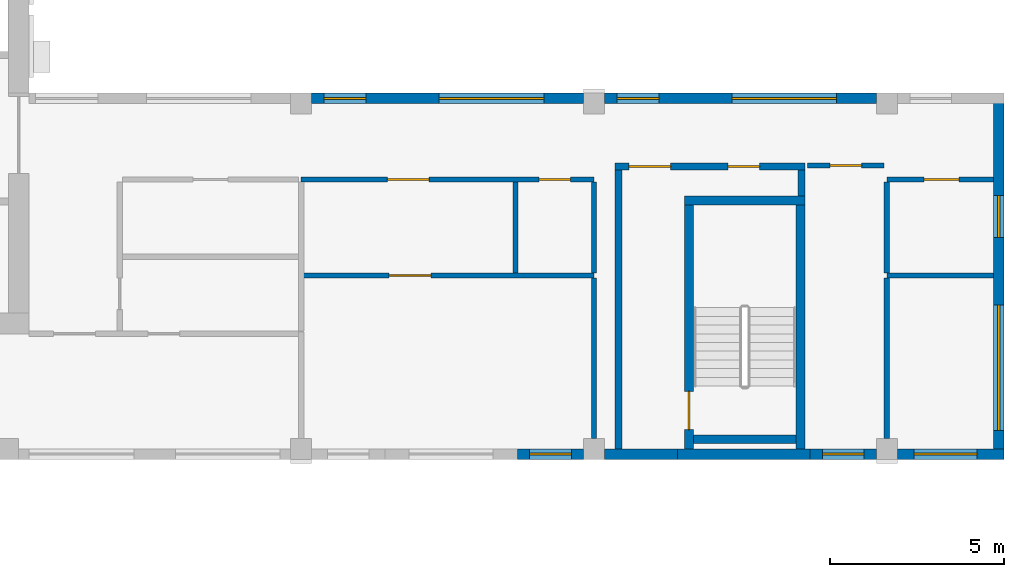
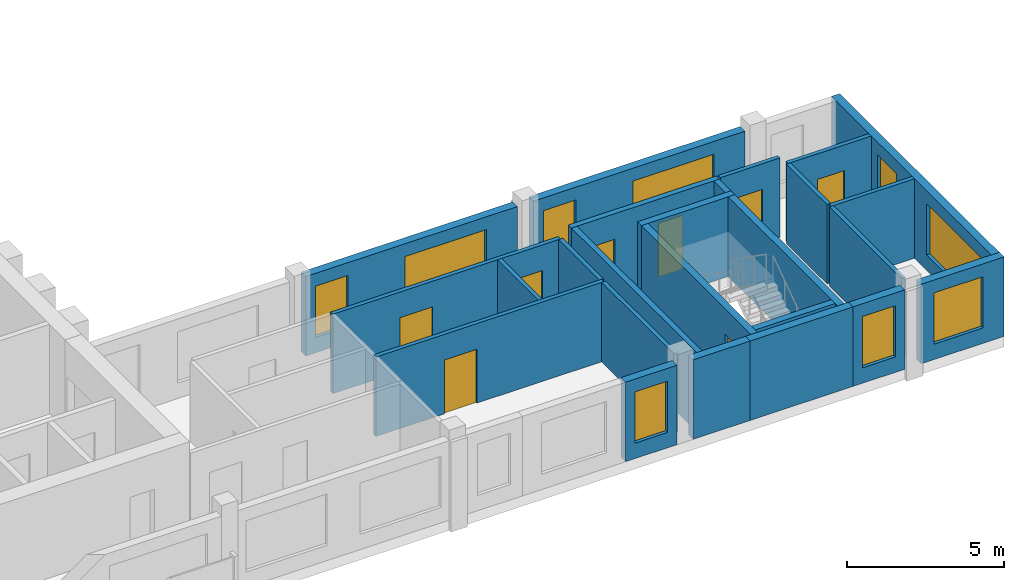
# One storey, part 4 of 10: 25 walls, 9 windows, 8 doors, 17 openings.
"""IFC4 building model written with IfcOpenShell, lengths in metres."""

import ifcopenshell
import ifcopenshell.guid

model = None  # the IFC model being written
_history = None  # IfcOwnerHistory: only IFC2X3 demands one
_inside = {}  # id of a spatial element -> (the spatial element, [elements in it])
_under = {}  # id of a project, library or spatial element -> (it, [spatial elements below it])
_declared = {}  # id of a project -> (the project, [libraries it declares])
_typed = {}  # id of a type object -> (the type object, [elements of that type])
_made_of = {}  # id of a material, layer set ... -> (it, [elements and type objects made of it])


def new_model(schema):
    """Start an empty IFC model of exactly this schema.

    Asked for "IFC4X3", IfcOpenShell would pick the latest addendum, in which some entities
    have other attributes; the version numbers below select the first issue.
    IFC2X3 requires an IfcOwnerHistory on every rooted entity: one is made here for all.
    """
    global model, _history
    if schema == "IFC4X3":
        model = ifcopenshell.file(schema_version=(4, 3, 0, 0))
    else:
        model = ifcopenshell.file(schema=schema)
    _inside.clear()
    _under.clear()
    _declared.clear()
    _typed.clear()
    _made_of.clear()
    _history = None
    if model.schema == "IFC2X3":
        org = make("IfcOrganization", Name="unknown")
        user = make(
            "IfcPersonAndOrganization",
            ThePerson=make("IfcPerson", FamilyName="unknown"),
            TheOrganization=org,
        )
        app = make(
            "IfcApplication",
            ApplicationDeveloper=org,
            Version="unknown",
            ApplicationFullName="unknown",
            ApplicationIdentifier="unknown",
        )
        _history = make(
            "IfcOwnerHistory",
            OwningUser=user,
            OwningApplication=app,
            ChangeAction="ADDED",
            CreationDate=0,
        )
    return model


def make(cls, **values):
    """One entity of the class cls with the attributes given. An attribute that is None is left unset."""
    return model.create_entity(
        cls, **{name: value for name, value in values.items() if value is not None}
    )


def rooted(cls, **values):
    """An entity with a GlobalId (a new one), such as an element, a storey or a relation."""
    return make(cls, GlobalId=ifcopenshell.guid.new(), OwnerHistory=_history, **values)


def si_unit(unit_type, name, prefix=None):
    """IfcSIUnit, for example si_unit("LENGTHUNIT", "METRE", prefix="MILLI")."""
    return make("IfcSIUnit", UnitType=unit_type, Prefix=prefix, Name=name)


def assignment(units):
    """IfcUnitAssignment: the units of a project."""
    return None if units is None else make("IfcUnitAssignment", Units=units)


def point(xyz):
    """IfcCartesianPoint."""
    return None if xyz is None else make("IfcCartesianPoint", Coordinates=xyz)


def direction(xyz):
    """IfcDirection."""
    return None if xyz is None else make("IfcDirection", DirectionRatios=xyz)


def frame(location, z_axis=None, x_axis=None):
    """IfcAxis2Placement3D, a coordinate frame: its origin and axes. An axis left out is left unset."""
    return make(
        "IfcAxis2Placement3D",
        Location=point(location),
        Axis=direction(z_axis),
        RefDirection=direction(x_axis),
    )


def frame_2d(location, x_axis=None):
    """IfcAxis2Placement2D, a coordinate frame in the plane: its origin and x axis."""
    return make(
        "IfcAxis2Placement2D", Location=point(location), RefDirection=direction(x_axis)
    )


def origin():
    """The frame at (0, 0, 0) with its axes left unset."""
    return frame((0.0, 0.0, 0.0))


def place(relative_to, where):
    """IfcLocalPlacement: puts the frame where relative to a parent placement (None: the world)."""
    return make(
        "IfcLocalPlacement", PlacementRelTo=relative_to, RelativePlacement=where
    )


def context(
    kind, dimensions, precision=None, world=None, true_north=None, identifier=None
):
    """IfcGeometricRepresentationContext, for example the 3D "Model" context."""
    return make(
        "IfcGeometricRepresentationContext",
        ContextIdentifier=identifier,
        ContextType=kind,
        CoordinateSpaceDimension=dimensions,
        Precision=precision,
        WorldCoordinateSystem=world,
        TrueNorth=true_north,
    )


def subcontext(parent, identifier, kind, view, scale=None):
    """IfcGeometricRepresentationSubContext, for example "Body" below "Model"."""
    return make(
        "IfcGeometricRepresentationSubContext",
        ContextIdentifier=identifier,
        ContextType=kind,
        ParentContext=parent,
        TargetScale=scale,
        TargetView=view,
    )


def project(units=None, contexts=None):
    """IfcProject with its units and contexts."""
    return rooted(
        "IfcProject",
        Name="project",
        RepresentationContexts=contexts,
        UnitsInContext=assignment(units),
    )


def spatial(cls, under=None, at=None, **own):
    """A site, building, storey or space (cls), placed at a placement, below another one or the project."""
    s = rooted(cls, ObjectPlacement=at, **own)
    if under is not None:
        _under.setdefault(under.id(), (under, []))[1].append(s)
    return s


def profile(cls, at=None, kind="AREA", **sizes):
    """A parametric profile (cls). Its sizes go by their IFC names, for example OverallWidth=200.0."""
    return make(cls, ProfileType=kind, Position=at, **sizes)


def rectangle(**sizes):
    """IfcRectangleProfileDef."""
    return profile("IfcRectangleProfileDef", **sizes)


def extrude(swept, where, along, depth):
    """IfcExtrudedAreaSolid: the profile swept, set in the frame where, extruded along a direction by depth."""
    return make(
        "IfcExtrudedAreaSolid",
        SweptArea=swept,
        Position=where,
        ExtrudedDirection=direction(along),
        Depth=depth,
    )


def shape(context_of_items, identifier, shape_type, items):
    """IfcShapeRepresentation: the items that make up one representation, for example the "Body"."""
    return make(
        "IfcShapeRepresentation",
        ContextOfItems=context_of_items,
        RepresentationIdentifier=identifier,
        RepresentationType=shape_type,
        Items=items,
    )


def source(mapping_origin, context_of_items, identifier, shape_type, items):
    """IfcRepresentationMap: a shape defined once, which mapped items show again and again."""
    return make(
        "IfcRepresentationMap",
        MappingOrigin=mapping_origin,
        MappedRepresentation=shape(context_of_items, identifier, shape_type, items),
    )


def transform(
    local_origin,
    x_axis=None,
    y_axis=None,
    z_axis=None,
    scale=None,
    scale2=None,
    scale3=None,
    uniform=True,
):
    """IfcCartesianTransformationOperator3D, or its non-uniform kind. x_axis, y_axis, z_axis: its Axis1, 2, 3."""
    if uniform:
        return make(
            "IfcCartesianTransformationOperator3D",
            Axis1=direction(x_axis),
            Axis2=direction(y_axis),
            LocalOrigin=point(local_origin),
            Scale=scale,
            Axis3=direction(z_axis),
        )
    return make(
        "IfcCartesianTransformationOperator3DnonUniform",
        Axis1=direction(x_axis),
        Axis2=direction(y_axis),
        LocalOrigin=point(local_origin),
        Scale=scale,
        Axis3=direction(z_axis),
        Scale2=scale2,
        Scale3=scale3,
    )


def mapped(mapping_source, mapping_target):
    """IfcMappedItem: shows the shape of a source again, moved by a transform."""
    return make(
        "IfcMappedItem", MappingSource=mapping_source, MappingTarget=mapping_target
    )


def material(Name=None, Category=None):
    """IfcMaterial."""
    return make("IfcMaterial", Name=Name, Category=Category)


def layer(
    of_material, thickness, ventilated=None, Name=None, Category=None, Priority=None
):
    """IfcMaterialLayer: one layer of a wall or slab, of a material (None: an air gap)."""
    return make(
        "IfcMaterialLayer",
        Material=of_material,
        LayerThickness=thickness,
        IsVentilated=ventilated,
        Name=Name,
        Category=Category,
        Priority=Priority,
    )


def layer_set(layers, Name=None):
    """IfcMaterialLayerSet."""
    return make("IfcMaterialLayerSet", MaterialLayers=layers, LayerSetName=Name)


def made_of(thing, what):
    """Note that an element or type object is made of a material, layer set ...; save() writes the relation."""
    if what is not None:
        _made_of.setdefault(what.id(), (what, []))[1].append(thing)
    return thing


def type_object(cls, material=None, **own):
    """A type object (cls), such as IfcWallType, which elements share."""
    return made_of(rooted(cls, **own), material)


def element(
    cls,
    number,
    at=None,
    inside=None,
    cuts=None,
    type_object=None,
    material=None,
    context=None,
    identifier="Body",
    shape_type=None,
    held_by="IfcProductDefinitionShape",
    body=None,
    shapes=None,
    **own,
):
    """One element of the class cls, such as IfcWall. Its Tag is "e" and its number.

    at: its placement. inside: the storey or other place that contains it. cuts: it is an
    opening in that element (IfcRelVoidsElement). A single representation is given by context,
    identifier, shape_type and body (its items); several are given by shapes. held_by: the class
    of the entity that holds the representations. save() writes the other relations.
    """
    e = rooted(cls, Tag="e%d" % number, ObjectPlacement=at, **own)
    if body is not None:
        shapes = [shape(context, identifier, shape_type, body)]
    if shapes is not None:
        e.Representation = make(held_by, Representations=shapes)
    if inside is not None:
        _inside.setdefault(inside.id(), (inside, []))[1].append(e)
    if cuts is not None:
        rooted(
            "IfcRelVoidsElement", RelatingBuildingElement=cuts, RelatedOpeningElement=e
        )
    if type_object is not None:
        _typed.setdefault(type_object.id(), (type_object, []))[1].append(e)
    return made_of(e, material)


def fill(opening, filler):
    """IfcRelFillsElement: the door or window that sits in an opening."""
    return rooted(
        "IfcRelFillsElement",
        RelatingOpeningElement=opening,
        RelatedBuildingElement=filler,
    )


def aggregate(whole, parts):
    """IfcRelAggregates: a whole, such as a stair, and the parts it consists of."""
    return rooted("IfcRelAggregates", RelatingObject=whole, RelatedObjects=parts)


def save(model, path):
    """Write the relations noted so far, then the file.

    IfcRelAggregates (storeys below a building ...), IfcRelContainedInSpatialStructure (elements
    in a storey), IfcRelDefinesByType, IfcRelAssociatesMaterial and IfcRelDeclares: one each for
    every whole, place, type object, material and project.
    """
    for whole, parts in _under.values():
        aggregate(whole, parts)
    for where, things in _inside.values():
        rooted(
            "IfcRelContainedInSpatialStructure",
            RelatedElements=things,
            RelatingStructure=where,
        )
    for kind, things in _typed.values():
        rooted("IfcRelDefinesByType", RelatedObjects=things, RelatingType=kind)
    for what, things in _made_of.values():
        rooted("IfcRelAssociatesMaterial", RelatedObjects=things, RelatingMaterial=what)
    for by, libraries in _declared.values():
        rooted("IfcRelDeclares", RelatingContext=by, RelatedDefinitions=libraries)
    model.write(path)


model = new_model("IFC4")

# Units and contexts
model_context = context("Model", 3, precision=1e-05, world=origin(), true_north=direction((0.0, 1.0)))
body_context = subcontext(model_context, "Body", "Model", "MODEL_VIEW")
ifc_project = project(units=[si_unit("LENGTHUNIT", "METRE"), si_unit("AREAUNIT", "SQUARE_METRE"), si_unit("VOLUMEUNIT", "CUBIC_METRE"), si_unit("PLANEANGLEUNIT", "RADIAN"), si_unit("MASSUNIT", "GRAM", prefix="KILO")], contexts=[model_context])

# Site, building, storey
site_placement = place(None, origin())
site = spatial("IfcSite", under=ifc_project, at=site_placement, CompositionType="ELEMENT")
building_placement = place(site_placement, origin())
building = spatial("IfcBuilding", under=site, at=building_placement, Name="Aurelian Terraces", CompositionType="ELEMENT")
storey_placement = place(building_placement, frame((0.0, 0.0, 326.5)))
storey = spatial("IfcBuildingStorey", under=building, at=storey_placement, Name="L76", CompositionType="ELEMENT", Elevation=326.5)

# Wall, opening, window
ifc_material_1 = material(Name="Terracotta rainscreen cladding", Category="masonry")
ifc_layer_1 = layer(ifc_material_1, 0.3)
ifc_layer_set_1 = layer_set([ifc_layer_1], Name="EW-300")
wall_type_1 = type_object("IfcWallType", Name="EW-300", PredefinedType="STANDARD", material=ifc_layer_set_1)
wall_1_placement = place(storey_placement, frame((35.6, 0.15, 0.0), z_axis=(0.0, 0.0, 1.0), x_axis=(1.0, 0.0, 0.0)))
wall_1 = element("IfcWall", 1, at=wall_1_placement, inside=storey, type_object=wall_type_1, Name="External wall L76 F01.4", PredefinedType="STANDARD", context=body_context, shape_type="SweptSolid", body=[
    extrude(rectangle(XDim=1.9, YDim=0.3, at=frame_2d((0.95, 0.0))), origin(), (0.0, 0.0, 1.0), 3.1),
])
shared_shape_1 = source(origin(), body_context, "Body", "SweptSolid", [
    extrude(rectangle(XDim=1.2, YDim=2.0, at=frame_2d((0.6, 1.0))), frame((0.0, 0.16, 0.0), z_axis=(0.0, -1.0, 0.0), x_axis=(1.0, 0.0, 0.0)), (0.0, 0.0, 1.0), 0.32),
])
opening_1_placement = place(wall_1_placement, frame((0.35, 0.0, 0.6)))
opening_1 = element("IfcOpeningElement", 2, at=opening_1_placement, cuts=wall_1, Name="Opening W1220", PredefinedType="OPENING", context=body_context, shape_type="MappedRepresentation", body=[
    mapped(shared_shape_1, transform((0.0, 0.0, 0.0), scale=1.0)),
])
ifc_material_2 = material(Name="Clear glazing", Category="glass")
window_type_1 = type_object("IfcWindowType", Name="W-1200x2000", PartitioningType="SINGLE_PANEL", PredefinedType="WINDOW", material=ifc_material_2)
shared_shape_2 = source(origin(), body_context, "Body", "SweptSolid", [
    extrude(rectangle(XDim=1.2, YDim=2.0, at=frame_2d((0.6, 1.0))), frame((0.0, 0.03, 0.0), z_axis=(0.0, -1.0, 0.0), x_axis=(1.0, 0.0, 0.0)), (0.0, 0.0, 1.0), 0.06),
])
window_1_placement = place(opening_1_placement, origin())
window_1 = element("IfcWindow", 3, at=window_1_placement, inside=storey, type_object=window_type_1, Name="Window L76 L76-F01-04-P2", OverallHeight=2.0, OverallWidth=1.2, PartitioningType="SINGLE_PANEL", PredefinedType="WINDOW", context=body_context, shape_type="MappedRepresentation", body=[
    mapped(shared_shape_2, transform((0.0, 0.0, 0.0), scale=1.0)),
])
fill(opening_1, window_1)

wall_2_placement = place(storey_placement, frame((46.5, 0.15, 0.0), z_axis=(0.0, 0.0, 1.0), x_axis=(1.0, 0.0, 0.0)))
wall_2 = element("IfcWall", 4, at=wall_2_placement, inside=storey, type_object=wall_type_1, Name="External wall L76 F01.6", PredefinedType="STANDARD", context=body_context, shape_type="SweptSolid", body=[
    extrude(rectangle(XDim=3.06, YDim=0.3, at=frame_2d((1.53, 0.0))), origin(), (0.0, 0.0, 1.0), 3.1),
])
shared_shape_3 = source(origin(), body_context, "Body", "SweptSolid", [
    extrude(rectangle(XDim=1.8, YDim=2.0, at=frame_2d((0.9, 1.0))), frame((0.0, 0.16, 0.0), z_axis=(0.0, -1.0, 0.0), x_axis=(1.0, 0.0, 0.0)), (0.0, 0.0, 1.0), 0.32),
])
opening_2_placement = place(wall_2_placement, frame((0.48, 0.0, 0.6)))
opening_2 = element("IfcOpeningElement", 5, at=opening_2_placement, cuts=wall_2, Name="Opening W1820", PredefinedType="OPENING", context=body_context, shape_type="MappedRepresentation", body=[
    mapped(shared_shape_3, transform((0.0, 0.0, 0.0), scale=1.0)),
])
window_type_2 = type_object("IfcWindowType", Name="W-1800x2000", PartitioningType="SINGLE_PANEL", PredefinedType="WINDOW", material=ifc_material_2)
shared_shape_4 = source(origin(), body_context, "Body", "SweptSolid", [
    extrude(rectangle(XDim=1.8, YDim=2.0, at=frame_2d((0.9, 1.0))), frame((0.0, 0.03, 0.0), z_axis=(0.0, -1.0, 0.0), x_axis=(1.0, 0.0, 0.0)), (0.0, 0.0, 1.0), 0.06),
])
window_2_placement = place(opening_2_placement, origin())
window_2 = element("IfcWindow", 6, at=window_2_placement, inside=storey, type_object=window_type_2, Name="Window L76 L76-F01-06-0", OverallHeight=2.0, OverallWidth=1.8, PartitioningType="SINGLE_PANEL", PredefinedType="WINDOW", context=body_context, shape_type="MappedRepresentation", body=[
    mapped(shared_shape_4, transform((0.0, 0.0, 0.0), scale=1.0)),
])
fill(opening_2, window_2)

# Walls
ifc_material_3 = material(Name="Gypsum board on steel studs", Category="steel")
ifc_layer_2 = layer(ifc_material_3, 0.15)
ifc_layer_set_2 = layer_set([ifc_layer_2], Name="Fire partition 150")
wall_type_2 = type_object("IfcWallType", Name="Fire partition 150", PredefinedType="PARTITIONING", material=ifc_layer_set_2)
wall_3_placement = place(storey_placement, frame((37.8, 0.599, 0.0), z_axis=(0.0, 0.0, 1.0), x_axis=(0.0, 1.0, 0.0)))
element("IfcWall", 7, at=wall_3_placement, inside=storey, type_object=wall_type_2, Name="Party wall", PredefinedType="PARTITIONING", context=body_context, shape_type="SweptSolid", body=[
    extrude(rectangle(XDim=4.601, YDim=0.15, at=frame_2d((2.3005, 0.0))), origin(), (0.0, 0.0, 1.0), 3.1),
])
ifc_material_4 = material(Name="Concrete fc' 40 MPa", Category="concrete")
ifc_layer_3 = layer(ifc_material_4, 0.3)
ifc_layer_set_3 = layer_set([ifc_layer_3], Name="STAIR BAY WALL 300")
wall_type_3 = type_object("IfcWallType", Name="STAIR BAY WALL 300", PredefinedType="SOLIDWALL", material=ifc_layer_set_3)
shared_shape_5 = source(origin(), body_context, "Body", "SweptSolid", [
    extrude(rectangle(XDim=3.8, YDim=0.3, at=frame_2d((1.9, 0.0))), origin(), (0.0, 0.0, 1.0), 3.1),
])
wall_4_placement = place(storey_placement, frame((40.2, 0.15, 0.0), z_axis=(0.0, 0.0, 1.0), x_axis=(1.0, 0.0, 0.0)))
element("IfcWall", 8, at=wall_4_placement, inside=storey, type_object=wall_type_3, Name="Stair bay wall L76 F01.5", PredefinedType="SOLIDWALL", context=body_context, shape_type="MappedRepresentation", body=[
    mapped(shared_shape_5, transform((0.0, 0.0, 0.0), scale=1.0)),
])

# Wall, openings, windows
shared_shape_6 = source(origin(), body_context, "Body", "SweptSolid", [
    extrude(rectangle(XDim=10.5, YDim=0.3, at=frame_2d((5.25, 0.0))), origin(), (0.0, 0.0, 1.0), 3.1),
])
wall_5_placement = place(storey_placement, frame((49.41, 0.0, 0.0), z_axis=(0.0, 0.0, 1.0), x_axis=(0.0, 1.0, 0.0)))
wall_5 = element("IfcWall", 9, at=wall_5_placement, inside=storey, type_object=wall_type_1, Name="External wall L76 F02.7", PredefinedType="STANDARD", context=body_context, shape_type="MappedRepresentation", body=[
    mapped(shared_shape_6, transform((0.0, 0.0, 0.0), scale=1.0)),
])
shared_shape_7 = source(origin(), body_context, "Body", "SweptSolid", [
    extrude(rectangle(XDim=3.6, YDim=2.0, at=frame_2d((1.8, 1.0))), frame((0.0, 0.16, 0.0), z_axis=(0.0, -1.0, 0.0), x_axis=(1.0, 0.0, 0.0)), (0.0, 0.0, 1.0), 0.32),
])
opening_3_placement = place(wall_5_placement, frame((0.825, 0.0, 0.6)))
opening_3 = element("IfcOpeningElement", 10, at=opening_3_placement, cuts=wall_5, Name="Opening W3620", PredefinedType="OPENING", context=body_context, shape_type="MappedRepresentation", body=[
    mapped(shared_shape_7, transform((0.0, 0.0, 0.0), scale=1.0)),
])
opening_4_placement = place(wall_5_placement, frame((6.3625, 0.0, 0.6)))
opening_4 = element("IfcOpeningElement", 11, at=opening_4_placement, cuts=wall_5, Name="Opening W1220", PredefinedType="OPENING", context=body_context, shape_type="MappedRepresentation", body=[
    mapped(shared_shape_1, transform((0.0, 0.0, 0.0), scale=1.0)),
])
window_3_placement = place(opening_4_placement, origin())
window_3 = element("IfcWindow", 12, at=window_3_placement, inside=storey, type_object=window_type_1, Name="Window L76 L76-F02-07-1", OverallHeight=2.0, OverallWidth=1.2, PartitioningType="SINGLE_PANEL", PredefinedType="WINDOW", context=body_context, shape_type="MappedRepresentation", body=[
    mapped(shared_shape_2, transform((0.0, 0.0, 0.0), scale=1.0)),
])
fill(opening_4, window_3)
window_type_3 = type_object("IfcWindowType", Name="W-3600x2000", PartitioningType="SINGLE_PANEL", PredefinedType="WINDOW", material=ifc_material_2)
shared_shape_8 = source(origin(), body_context, "Body", "SweptSolid", [
    extrude(rectangle(XDim=3.6, YDim=2.0, at=frame_2d((1.8, 1.0))), frame((0.0, 0.03, 0.0), z_axis=(0.0, -1.0, 0.0), x_axis=(1.0, 0.0, 0.0)), (0.0, 0.0, 1.0), 0.06),
])
window_4_placement = place(opening_3_placement, origin())
window_4 = element("IfcWindow", 13, at=window_4_placement, inside=storey, type_object=window_type_3, Name="Window L76 L76-F02-07-0", OverallHeight=2.0, OverallWidth=3.6, PartitioningType="SINGLE_PANEL", PredefinedType="WINDOW", context=body_context, shape_type="MappedRepresentation", body=[
    mapped(shared_shape_8, transform((0.0, 0.0, 0.0), scale=1.0)),
])
fill(opening_3, window_4)

# Wall
shared_shape_9 = source(origin(), body_context, "Body", "SweptSolid", [
    extrude(rectangle(XDim=2.1, YDim=0.3, at=frame_2d((1.05, 0.0))), origin(), (0.0, 0.0, 1.0), 3.1),
])
wall_6_placement = place(storey_placement, frame((38.1, 0.15, 0.0), z_axis=(0.0, 0.0, 1.0), x_axis=(1.0, 0.0, 0.0)))
element("IfcWall", 14, at=wall_6_placement, inside=storey, type_object=wall_type_1, Name="External wall L76 F01.5", PredefinedType="STANDARD", context=body_context, shape_type="MappedRepresentation", body=[
    mapped(shared_shape_9, transform((0.0, 0.0, 0.0), scale=1.0)),
])

# Wall, opening, window
shared_shape_10 = source(origin(), body_context, "Body", "SweptSolid", [
    extrude(rectangle(XDim=1.9, YDim=0.3, at=frame_2d((0.95, 0.0))), origin(), (0.0, 0.0, 1.0), 3.1),
])
wall_7_placement = place(storey_placement, frame((44.0, 0.15, 0.0), z_axis=(0.0, 0.0, 1.0), x_axis=(1.0, 0.0, 0.0)))
wall_7 = element("IfcWall", 15, at=wall_7_placement, inside=storey, type_object=wall_type_1, Name="External wall L76 F01.5", PredefinedType="STANDARD", context=body_context, shape_type="MappedRepresentation", body=[
    mapped(shared_shape_10, transform((0.0, 0.0, 0.0), scale=1.0)),
])
opening_5_placement = place(wall_7_placement, frame((0.35, 0.0, 0.6)))
opening_5 = element("IfcOpeningElement", 16, at=opening_5_placement, cuts=wall_7, Name="Opening W1220", PredefinedType="OPENING", context=body_context, shape_type="MappedRepresentation", body=[
    mapped(shared_shape_1, transform((0.0, 0.0, 0.0), scale=1.0)),
])
window_5_placement = place(opening_5_placement, origin())
window_5 = element("IfcWindow", 17, at=window_5_placement, inside=storey, type_object=window_type_1, Name="Window L76 L76-F01-05-P2", OverallHeight=2.0, OverallWidth=1.2, PartitioningType="SINGLE_PANEL", PredefinedType="WINDOW", context=body_context, shape_type="MappedRepresentation", body=[
    mapped(shared_shape_2, transform((0.0, 0.0, 0.0), scale=1.0)),
])
fill(opening_5, window_5)

# Wall, openings, windows
shared_shape_11 = source(origin(), body_context, "Body", "SweptSolid", [
    extrude(rectangle(XDim=7.8, YDim=0.3, at=frame_2d((3.9, 0.0))), origin(), (0.0, 0.0, 1.0), 3.1),
])
wall_8_placement = place(storey_placement, frame((45.9, 10.35, 0.0), z_axis=(0.0, 0.0, 1.0), x_axis=(-1.0, 0.0, 0.0)))
wall_8 = element("IfcWall", 18, at=wall_8_placement, inside=storey, type_object=wall_type_1, Name="External wall L76 F03.8", PredefinedType="STANDARD", context=body_context, shape_type="MappedRepresentation", body=[
    mapped(shared_shape_11, transform((0.0, 0.0, 0.0), scale=1.0)),
])
shared_shape_12 = source(origin(), body_context, "Body", "SweptSolid", [
    extrude(rectangle(XDim=3.0, YDim=2.0, at=frame_2d((1.5, 1.0))), frame((0.0, 0.16, 0.0), z_axis=(0.0, -1.0, 0.0), x_axis=(1.0, 0.0, 0.0)), (0.0, 0.0, 1.0), 0.32),
])
opening_6_placement = place(wall_8_placement, frame((1.14, 0.0, 0.6)))
opening_6 = element("IfcOpeningElement", 19, at=opening_6_placement, cuts=wall_8, Name="Opening W3020", PredefinedType="OPENING", context=body_context, shape_type="MappedRepresentation", body=[
    mapped(shared_shape_12, transform((0.0, 0.0, 0.0), scale=1.0)),
])
opening_7_placement = place(wall_8_placement, frame((6.24, 0.0, 0.6)))
opening_7 = element("IfcOpeningElement", 20, at=opening_7_placement, cuts=wall_8, Name="Opening W1220", PredefinedType="OPENING", context=body_context, shape_type="MappedRepresentation", body=[
    mapped(shared_shape_1, transform((0.0, 0.0, 0.0), scale=1.0)),
])
window_type_4 = type_object("IfcWindowType", Name="W-3000x2000", PartitioningType="SINGLE_PANEL", PredefinedType="WINDOW", material=ifc_material_2)
shared_shape_13 = source(origin(), body_context, "Body", "SweptSolid", [
    extrude(rectangle(XDim=3.0, YDim=2.0, at=frame_2d((1.5, 1.0))), frame((0.0, 0.03, 0.0), z_axis=(0.0, -1.0, 0.0), x_axis=(1.0, 0.0, 0.0)), (0.0, 0.0, 1.0), 0.06),
])
window_6_placement = place(opening_6_placement, origin())
window_6 = element("IfcWindow", 21, at=window_6_placement, inside=storey, type_object=window_type_4, Name="Window L76 L76-F03-08-1", OverallHeight=2.0, OverallWidth=3.0, PartitioningType="SINGLE_PANEL", PredefinedType="WINDOW", context=body_context, shape_type="MappedRepresentation", body=[
    mapped(shared_shape_13, transform((0.0, 0.0, 0.0), scale=1.0)),
])
fill(opening_6, window_6)
window_7_placement = place(opening_7_placement, origin())
window_7 = element("IfcWindow", 22, at=window_7_placement, inside=storey, type_object=window_type_1, Name="Window L76 L76-F03-08-2", OverallHeight=2.0, OverallWidth=1.2, PartitioningType="SINGLE_PANEL", PredefinedType="WINDOW", context=body_context, shape_type="MappedRepresentation", body=[
    mapped(shared_shape_2, transform((0.0, 0.0, 0.0), scale=1.0)),
])
fill(opening_7, window_7)

wall_9_placement = place(storey_placement, frame((37.5, 10.35, 0.0), z_axis=(0.0, 0.0, 1.0), x_axis=(-1.0, 0.0, 0.0)))
wall_9 = element("IfcWall", 23, at=wall_9_placement, inside=storey, type_object=wall_type_1, Name="External wall L76 F03.8", PredefinedType="STANDARD", context=body_context, shape_type="MappedRepresentation", body=[
    mapped(shared_shape_11, transform((0.0, 0.0, 0.0), scale=1.0)),
])
opening_8_placement = place(wall_9_placement, frame((1.14, 0.0, 0.6)))
opening_8 = element("IfcOpeningElement", 24, at=opening_8_placement, cuts=wall_9, Name="Opening W3020", PredefinedType="OPENING", context=body_context, shape_type="MappedRepresentation", body=[
    mapped(shared_shape_12, transform((0.0, 0.0, 0.0), scale=1.0)),
])
opening_9_placement = place(wall_9_placement, frame((6.24, 0.0, 0.6)))
opening_9 = element("IfcOpeningElement", 25, at=opening_9_placement, cuts=wall_9, Name="Opening W1220", PredefinedType="OPENING", context=body_context, shape_type="MappedRepresentation", body=[
    mapped(shared_shape_1, transform((0.0, 0.0, 0.0), scale=1.0)),
])
window_8_placement = place(opening_8_placement, origin())
window_8 = element("IfcWindow", 26, at=window_8_placement, inside=storey, type_object=window_type_4, Name="Window L76 L76-F03-08-3", OverallHeight=2.0, OverallWidth=3.0, PartitioningType="SINGLE_PANEL", PredefinedType="WINDOW", context=body_context, shape_type="MappedRepresentation", body=[
    mapped(shared_shape_13, transform((0.0, 0.0, 0.0), scale=1.0)),
])
fill(opening_8, window_8)
window_9_placement = place(opening_9_placement, origin())
window_9 = element("IfcWindow", 27, at=window_9_placement, inside=storey, type_object=window_type_1, Name="Window L76 L76-F03-08-4", OverallHeight=2.0, OverallWidth=1.2, PartitioningType="SINGLE_PANEL", PredefinedType="WINDOW", context=body_context, shape_type="MappedRepresentation", body=[
    mapped(shared_shape_2, transform((0.0, 0.0, 0.0), scale=1.0)),
])
fill(opening_9, window_9)

# Wall, opening, door
ifc_layer_4 = layer(ifc_material_4, 0.25)
ifc_layer_set_4 = layer_set([ifc_layer_4], Name="Stair enclosure wall 250")
wall_type_4 = type_object("IfcWallType", Name="Stair enclosure wall 250", PredefinedType="SOLIDWALL", material=ifc_layer_set_4)
shared_shape_14 = source(origin(), body_context, "Body", "SweptSolid", [
    extrude(rectangle(XDim=7.0, YDim=0.25, at=frame_2d((3.5, 0.0))), origin(), (0.0, 0.0, 1.0), 3.1),
])
wall_10_placement = place(storey_placement, frame((40.525, 0.3, 0.0), z_axis=(0.0, 0.0, 1.0), x_axis=(0.0, 1.0, 0.0)))
wall_10 = element("IfcWall", 28, at=wall_10_placement, inside=storey, type_object=wall_type_4, Name="L76 core wall ST-S2-W", PredefinedType="SOLIDWALL", context=body_context, shape_type="MappedRepresentation", body=[
    mapped(shared_shape_14, transform((0.0, 0.0, 0.0), scale=1.0)),
])
shared_shape_15 = source(origin(), body_context, "Body", "SweptSolid", [
    extrude(rectangle(XDim=1.1, YDim=2.1, at=frame_2d((0.55, 1.05))), frame((0.0, 0.135, 0.0), z_axis=(0.0, -1.0, 0.0), x_axis=(1.0, 0.0, 0.0)), (0.0, 0.0, 1.0), 0.27),
])
opening_10_placement = place(wall_10_placement, frame((0.55, 0.0, 0.0)))
opening_10 = element("IfcOpeningElement", 29, at=opening_10_placement, cuts=wall_10, Name="Opening 67917", PredefinedType="OPENING", context=body_context, shape_type="MappedRepresentation", body=[
    mapped(shared_shape_15, transform((0.0, 0.0, 0.0), scale=1.0)),
])
ifc_material_5 = material(Name="Steel door leaf", Category="steel")
door_type_1 = type_object("IfcDoorType", Name="Core fire door 1100x2100", OperationType="SINGLE_SWING_LEFT", PredefinedType="DOOR", material=ifc_material_5)
shared_shape_16 = source(origin(), body_context, "Body", "SweptSolid", [
    extrude(rectangle(XDim=1.1, YDim=2.1, at=frame_2d((0.55, 1.05))), frame((0.0, 0.025, 0.0), z_axis=(0.0, -1.0, 0.0), x_axis=(1.0, 0.0, 0.0)), (0.0, 0.0, 1.0), 0.05),
])
door_1_placement = place(opening_10_placement, origin())
door_1 = element("IfcDoor", 30, at=door_1_placement, inside=storey, type_object=door_type_1, Name="Stair door 67917", OperationType="SINGLE_SWING_LEFT", OverallHeight=2.1, OverallWidth=1.1, PredefinedType="DOOR", context=body_context, shape_type="MappedRepresentation", body=[
    mapped(shared_shape_16, transform((0.0, 0.0, 0.0), scale=1.0)),
])
fill(opening_10, door_1)

# Walls
wall_11_placement = place(storey_placement, frame((43.725, 0.3, 0.0), z_axis=(0.0, 0.0, 1.0), x_axis=(0.0, 1.0, 0.0)))
element("IfcWall", 31, at=wall_11_placement, inside=storey, type_object=wall_type_4, Name="L76 core wall ST-S2-E", PredefinedType="SOLIDWALL", context=body_context, shape_type="MappedRepresentation", body=[
    mapped(shared_shape_14, transform((0.0, 0.0, 0.0), scale=1.0)),
])
shared_shape_17 = source(origin(), body_context, "Body", "SweptSolid", [
    extrude(rectangle(XDim=3.45, YDim=0.25, at=frame_2d((1.725, 0.0))), origin(), (0.0, 0.0, 1.0), 3.1),
])
wall_12_placement = place(storey_placement, frame((40.4, 7.425, 0.0), z_axis=(0.0, 0.0, 1.0), x_axis=(1.0, 0.0, 0.0)))
element("IfcWall", 32, at=wall_12_placement, inside=storey, type_object=wall_type_4, Name="L76 core wall ST-S2-N", PredefinedType="SOLIDWALL", context=body_context, shape_type="MappedRepresentation", body=[
    mapped(shared_shape_17, transform((0.0, 0.0, 0.0), scale=1.0)),
])
ifc_layer_5 = layer(ifc_material_3, 0.2)
ifc_layer_set_5 = layer_set([ifc_layer_5], Name="Core partition 200")
wall_type_5 = type_object("IfcWallType", Name="Core partition 200", PredefinedType="PARTITIONING", material=ifc_layer_set_5)
shared_shape_18 = source(origin(), body_context, "Body", "SweptSolid", [
    extrude(rectangle(XDim=8.0, YDim=0.2, at=frame_2d((4.0, 0.0))), origin(), (0.0, 0.0, 1.0), 3.1),
])
wall_13_placement = place(storey_placement, frame((38.5, 0.3, 0.0), z_axis=(0.0, 0.0, 1.0), x_axis=(0.0, 1.0, 0.0)))
element("IfcWall", 33, at=wall_13_placement, inside=storey, type_object=wall_type_5, Name="L76 core wall ST-S2-VW", PredefinedType="PARTITIONING", context=body_context, shape_type="MappedRepresentation", body=[
    mapped(shared_shape_18, transform((0.0, 0.0, 0.0), scale=1.0)),
])

# Wall, openings, doors
shared_shape_19 = source(origin(), body_context, "Body", "SweptSolid", [
    extrude(rectangle(XDim=5.45, YDim=0.2, at=frame_2d((2.725, 0.0))), origin(), (0.0, 0.0, 1.0), 3.1),
])
wall_14_placement = place(storey_placement, frame((38.4, 8.4, 0.0), z_axis=(0.0, 0.0, 1.0), x_axis=(1.0, 0.0, 0.0)))
wall_14 = element("IfcWall", 34, at=wall_14_placement, inside=storey, type_object=wall_type_5, Name="L76 core wall ST-S2-BN", PredefinedType="PARTITIONING", context=body_context, shape_type="MappedRepresentation", body=[
    mapped(shared_shape_19, transform((0.0, 0.0, 0.0), scale=1.0)),
])
shared_shape_20 = source(origin(), body_context, "Body", "SweptSolid", [
    extrude(rectangle(XDim=1.2, YDim=2.1, at=frame_2d((0.6, 1.05))), frame((0.0, 0.11, 0.0), z_axis=(0.0, -1.0, 0.0), x_axis=(1.0, 0.0, 0.0)), (0.0, 0.0, 1.0), 0.22),
])
opening_11_placement = place(wall_14_placement, frame((0.4, 0.0, 0.0)))
opening_11 = element("IfcOpeningElement", 35, at=opening_11_placement, cuts=wall_14, Name="Opening 67918", PredefinedType="OPENING", context=body_context, shape_type="MappedRepresentation", body=[
    mapped(shared_shape_20, transform((0.0, 0.0, 0.0), scale=1.0)),
])
shared_shape_21 = source(origin(), body_context, "Body", "SweptSolid", [
    extrude(rectangle(XDim=0.9, YDim=2.1, at=frame_2d((0.45, 1.05))), frame((0.0, 0.11, 0.0), z_axis=(0.0, -1.0, 0.0), x_axis=(1.0, 0.0, 0.0)), (0.0, 0.0, 1.0), 0.22),
])
opening_12_placement = place(wall_14_placement, frame((3.25, 0.0, 0.0)))
opening_12 = element("IfcOpeningElement", 36, at=opening_12_placement, cuts=wall_14, Name="Opening 67919", PredefinedType="OPENING", context=body_context, shape_type="MappedRepresentation", body=[
    mapped(shared_shape_21, transform((0.0, 0.0, 0.0), scale=1.0)),
])
door_type_2 = type_object("IfcDoorType", Name="Core riser door 900x2100", OperationType="SINGLE_SWING_LEFT", PredefinedType="DOOR", material=ifc_material_5)
shared_shape_22 = source(origin(), body_context, "Body", "SweptSolid", [
    extrude(rectangle(XDim=0.9, YDim=2.1, at=frame_2d((0.45, 1.05))), frame((0.0, 0.025, 0.0), z_axis=(0.0, -1.0, 0.0), x_axis=(1.0, 0.0, 0.0)), (0.0, 0.0, 1.0), 0.05),
])
door_2_placement = place(opening_12_placement, origin())
door_2 = element("IfcDoor", 37, at=door_2_placement, inside=storey, type_object=door_type_2, Name="Riser door 67919", OperationType="SINGLE_SWING_LEFT", OverallHeight=2.1, OverallWidth=0.9, PredefinedType="DOOR", context=body_context, shape_type="MappedRepresentation", body=[
    mapped(shared_shape_22, transform((0.0, 0.0, 0.0), scale=1.0)),
])
fill(opening_12, door_2)
door_type_3 = type_object("IfcDoorType", Name="Core fire door 1200x2100 right", OperationType="SINGLE_SWING_RIGHT", PredefinedType="DOOR", material=ifc_material_5)
shared_shape_23 = source(origin(), body_context, "Body", "SweptSolid", [
    extrude(rectangle(XDim=1.2, YDim=2.1, at=frame_2d((0.6, 1.05))), frame((0.0, 0.025, 0.0), z_axis=(0.0, -1.0, 0.0), x_axis=(1.0, 0.0, 0.0)), (0.0, 0.0, 1.0), 0.05),
])
door_3_placement = place(opening_11_placement, origin())
door_3 = element("IfcDoor", 38, at=door_3_placement, inside=storey, type_object=door_type_3, Name="Vestibule door 67918", OperationType="SINGLE_SWING_RIGHT", OverallHeight=2.1, OverallWidth=1.2, PredefinedType="DOOR", context=body_context, shape_type="MappedRepresentation", body=[
    mapped(shared_shape_23, transform((0.0, 0.0, 0.0), scale=1.0)),
])
fill(opening_11, door_3)

# Walls
shared_shape_24 = source(origin(), body_context, "Body", "SweptSolid", [
    extrude(rectangle(XDim=0.75, YDim=0.2, at=frame_2d((0.375, 0.0))), origin(), (0.0, 0.0, 1.0), 3.1),
])
wall_15_placement = place(storey_placement, frame((43.75, 7.55, 0.0), z_axis=(0.0, 0.0, 1.0), x_axis=(0.0, 1.0, 0.0)))
element("IfcWall", 39, at=wall_15_placement, inside=storey, type_object=wall_type_5, Name="L76 core wall ST-S2-RE", PredefinedType="PARTITIONING", context=body_context, shape_type="MappedRepresentation", body=[
    mapped(shared_shape_24, transform((0.0, 0.0, 0.0), scale=1.0)),
])
shared_shape_25 = source(origin(), body_context, "Body", "SweptSolid", [
    extrude(rectangle(XDim=2.95, YDim=0.25, at=frame_2d((1.475, 0.0))), origin(), (0.0, 0.0, 1.0), 3.1),
])
wall_16_placement = place(storey_placement, frame((40.65, 0.575, 0.0), z_axis=(0.0, 0.0, 1.0), x_axis=(1.0, 0.0, 0.0)))
element("IfcWall", 40, at=wall_16_placement, inside=storey, type_object=wall_type_4, Name="L76 core wall ST-S2-SS", PredefinedType="SOLIDWALL", context=body_context, shape_type="MappedRepresentation", body=[
    mapped(shared_shape_25, transform((0.0, 0.0, 0.0), scale=1.0)),
])

# Wall, opening, door
ifc_layer_6 = layer(ifc_material_3, 0.15)
ifc_layer_set_6 = layer_set([ifc_layer_6], Name="Partition 150")
wall_type_6 = type_object("IfcWallType", Name="Partition 150", PredefinedType="PARTITIONING", material=ifc_layer_set_6)
shared_shape_26 = source(origin(), body_context, "Body", "SweptSolid", [
    extrude(rectangle(XDim=8.4, YDim=0.15, at=frame_2d((4.2, 0.0))), origin(), (0.0, 0.0, 1.0), 3.1),
])
wall_17_placement = place(storey_placement, frame((37.8, 5.275, 0.0), z_axis=(0.0, 0.0, 1.0), x_axis=(-1.0, 0.0, 0.0)))
wall_17 = element("IfcWall", 41, at=wall_17_placement, inside=storey, type_object=wall_type_6, Name="Partition", PredefinedType="PARTITIONING", context=body_context, shape_type="MappedRepresentation", body=[
    mapped(shared_shape_26, transform((0.0, 0.0, 0.0), scale=1.0)),
])
shared_shape_27 = source(origin(), body_context, "Body", "SweptSolid", [
    extrude(rectangle(XDim=1.2, YDim=2.1, at=frame_2d((0.6, 1.05))), frame((0.0, 0.085, 0.0), z_axis=(0.0, -1.0, 0.0), x_axis=(1.0, 0.0, 0.0)), (0.0, 0.0, 1.0), 0.17),
])
opening_13_placement = place(wall_17_placement, frame((4.6758, 0.0, 0.0)))
opening_13 = element("IfcOpeningElement", 42, at=opening_13_placement, cuts=wall_17, Name="Opening 776006", PredefinedType="OPENING", context=body_context, shape_type="MappedRepresentation", body=[
    mapped(shared_shape_27, transform((0.0, 0.0, 0.0), scale=1.0)),
])
ifc_material_6 = material(Name="Timber door leaf", Category="wood")
door_type_4 = type_object("IfcDoorType", Name="Room door 1200x2100 right", OperationType="SINGLE_SWING_RIGHT", PredefinedType="DOOR", material=ifc_material_6)
door_4_placement = place(opening_13_placement, origin())
door_4 = element("IfcDoor", 43, at=door_4_placement, inside=storey, type_object=door_type_4, Name="Door 776006", OperationType="SINGLE_SWING_RIGHT", OverallHeight=2.1, OverallWidth=1.2, PredefinedType="DOOR", context=body_context, shape_type="MappedRepresentation", body=[
    mapped(shared_shape_23, transform((0.0, 0.0, 0.0), scale=1.0)),
])
fill(opening_13, door_4)

# Wall, openings, doors
wall_18_placement = place(storey_placement, frame((37.8, 8.025, 0.0), z_axis=(0.0, 0.0, 1.0), x_axis=(-1.0, 0.0, 0.0)))
wall_18 = element("IfcWall", 44, at=wall_18_placement, inside=storey, type_object=wall_type_2, Name="Corridor wall", PredefinedType="PARTITIONING", context=body_context, shape_type="MappedRepresentation", body=[
    mapped(shared_shape_26, transform((0.0, 0.0, 0.0), scale=1.0)),
])
opening_14_placement = place(wall_18_placement, frame((4.7258, 0.0, 0.0)))
opening_14 = element("IfcOpeningElement", 45, at=opening_14_placement, cuts=wall_18, Name="Opening 776005", PredefinedType="OPENING", context=body_context, shape_type="MappedRepresentation", body=[
    mapped(shared_shape_27, transform((0.0, 0.0, 0.0), scale=1.0)),
])
shared_shape_28 = source(origin(), body_context, "Body", "SweptSolid", [
    extrude(rectangle(XDim=0.9, YDim=2.1, at=frame_2d((0.45, 1.05))), frame((0.0, 0.085, 0.0), z_axis=(0.0, -1.0, 0.0), x_axis=(1.0, 0.0, 0.0)), (0.0, 0.0, 1.0), 0.17),
])
opening_15_placement = place(wall_18_placement, frame((0.6758, 0.0, 0.0)))
opening_15 = element("IfcOpeningElement", 46, at=opening_15_placement, cuts=wall_18, Name="Opening 776007", PredefinedType="OPENING", context=body_context, shape_type="MappedRepresentation", body=[
    mapped(shared_shape_28, transform((0.0, 0.0, 0.0), scale=1.0)),
])
door_type_5 = type_object("IfcDoorType", Name="Entrance fire door 900x2100 left", OperationType="SINGLE_SWING_LEFT", PredefinedType="DOOR", material=ifc_material_5)
door_5_placement = place(opening_15_placement, origin())
door_5 = element("IfcDoor", 47, at=door_5_placement, inside=storey, type_object=door_type_5, Name="Door 776007", OperationType="SINGLE_SWING_LEFT", OverallHeight=2.1, OverallWidth=0.9, PredefinedType="DOOR", context=body_context, shape_type="MappedRepresentation", body=[
    mapped(shared_shape_22, transform((0.0, 0.0, 0.0), scale=1.0)),
])
fill(opening_15, door_5)
door_type_6 = type_object("IfcDoorType", Name="Entrance fire door 1200x2100 left", OperationType="SINGLE_SWING_LEFT", PredefinedType="DOOR", material=ifc_material_5)
door_6_placement = place(opening_14_placement, origin())
door_6 = element("IfcDoor", 48, at=door_6_placement, inside=storey, type_object=door_type_6, Name="Door 776005", OperationType="SINGLE_SWING_LEFT", OverallHeight=2.1, OverallWidth=1.2, PredefinedType="DOOR", context=body_context, shape_type="MappedRepresentation", body=[
    mapped(shared_shape_23, transform((0.0, 0.0, 0.0), scale=1.0)),
])
fill(opening_14, door_6)

# Wall
shared_shape_29 = source(origin(), body_context, "Body", "SweptSolid", [
    extrude(rectangle(XDim=3.06, YDim=0.15, at=frame_2d((1.53, 0.0))), origin(), (0.0, 0.0, 1.0), 3.1),
])
wall_19_placement = place(storey_placement, frame((49.26, 5.275, 0.0), z_axis=(0.0, 0.0, 1.0), x_axis=(-1.0, 0.0, 0.0)))
element("IfcWall", 49, at=wall_19_placement, inside=storey, type_object=wall_type_6, Name="Partition", PredefinedType="PARTITIONING", context=body_context, shape_type="MappedRepresentation", body=[
    mapped(shared_shape_29, transform((0.0, 0.0, 0.0), scale=1.0)),
])

# Wall, opening, door
wall_20_placement = place(storey_placement, frame((49.26, 8.025, 0.0), z_axis=(0.0, 0.0, 1.0), x_axis=(-1.0, 0.0, 0.0)))
wall_20 = element("IfcWall", 50, at=wall_20_placement, inside=storey, type_object=wall_type_2, Name="Corridor wall", PredefinedType="PARTITIONING", context=body_context, shape_type="MappedRepresentation", body=[
    mapped(shared_shape_29, transform((0.0, 0.0, 0.0), scale=1.0)),
])
shared_shape_30 = source(origin(), body_context, "Body", "SweptSolid", [
    extrude(rectangle(XDim=1.0, YDim=2.1, at=frame_2d((0.5, 1.05))), frame((0.0, 0.085, 0.0), z_axis=(0.0, -1.0, 0.0), x_axis=(1.0, 0.0, 0.0)), (0.0, 0.0, 1.0), 0.17),
])
opening_16_placement = place(wall_20_placement, frame((0.9925, 0.0, 0.0)))
opening_16 = element("IfcOpeningElement", 51, at=opening_16_placement, cuts=wall_20, Name="Opening 776008", PredefinedType="OPENING", context=body_context, shape_type="MappedRepresentation", body=[
    mapped(shared_shape_30, transform((0.0, 0.0, 0.0), scale=1.0)),
])
door_type_7 = type_object("IfcDoorType", Name="Entrance fire door 1000x2100 left", OperationType="SINGLE_SWING_LEFT", PredefinedType="DOOR", material=ifc_material_5)
shared_shape_31 = source(origin(), body_context, "Body", "SweptSolid", [
    extrude(rectangle(XDim=1.0, YDim=2.1, at=frame_2d((0.5, 1.05))), frame((0.0, 0.025, 0.0), z_axis=(0.0, -1.0, 0.0), x_axis=(1.0, 0.0, 0.0)), (0.0, 0.0, 1.0), 0.05),
])
door_7_placement = place(opening_16_placement, origin())
door_7 = element("IfcDoor", 52, at=door_7_placement, inside=storey, type_object=door_type_7, Name="Door 776008", OperationType="SINGLE_SWING_LEFT", OverallHeight=2.1, OverallWidth=1.0, PredefinedType="DOOR", context=body_context, shape_type="MappedRepresentation", body=[
    mapped(shared_shape_31, transform((0.0, 0.0, 0.0), scale=1.0)),
])
fill(opening_16, door_7)

shared_shape_32 = source(origin(), body_context, "Body", "SweptSolid", [
    extrude(rectangle(XDim=2.2, YDim=0.15, at=frame_2d((1.1, 0.0))), origin(), (0.0, 0.0, 1.0), 3.1),
])
wall_21_placement = place(storey_placement, frame((46.125, 8.425, 0.0), z_axis=(0.0, 0.0, 1.0), x_axis=(-1.0, 0.0, 0.0)))
wall_21 = element("IfcWall", 53, at=wall_21_placement, inside=storey, type_object=wall_type_6, Name="Partition", PredefinedType="PARTITIONING", context=body_context, shape_type="MappedRepresentation", body=[
    mapped(shared_shape_32, transform((0.0, 0.0, 0.0), scale=1.0)),
])
opening_17_placement = place(wall_21_placement, frame((0.65, 0.0, 0.0)))
opening_17 = element("IfcOpeningElement", 54, at=opening_17_placement, cuts=wall_21, Name="Opening 776004", PredefinedType="OPENING", context=body_context, shape_type="MappedRepresentation", body=[
    mapped(shared_shape_28, transform((0.0, 0.0, 0.0), scale=1.0)),
])
door_type_8 = type_object("IfcDoorType", Name="Room door 900x2100 right", OperationType="SINGLE_SWING_RIGHT", PredefinedType="DOOR", material=ifc_material_6)
door_8_placement = place(opening_17_placement, origin())
door_8 = element("IfcDoor", 55, at=door_8_placement, inside=storey, type_object=door_type_8, Name="Door 776004", OperationType="SINGLE_SWING_RIGHT", OverallHeight=2.1, OverallWidth=0.9, PredefinedType="DOOR", context=body_context, shape_type="MappedRepresentation", body=[
    mapped(shared_shape_22, transform((0.0, 0.0, 0.0), scale=1.0)),
])
fill(opening_17, door_8)

# Walls
shared_shape_33 = source(origin(), body_context, "Body", "SweptSolid", [
    extrude(rectangle(XDim=2.6, YDim=0.15, at=frame_2d((1.3, 0.0))), origin(), (0.0, 0.0, 1.0), 3.1),
])
wall_22_placement = place(storey_placement, frame((35.5483, 5.35, 0.0), z_axis=(0.0, 0.0, 1.0), x_axis=(0.0, 1.0, 0.0)))
element("IfcWall", 56, at=wall_22_placement, inside=storey, type_object=wall_type_6, Name="Partition", PredefinedType="PARTITIONING", context=body_context, shape_type="MappedRepresentation", body=[
    mapped(shared_shape_33, transform((0.0, 0.0, 0.0), scale=1.0)),
])
for number, where, z_axis, x_axis, name in (
    (57, (37.8, 5.35, 0.0), (0.0, 0.0, 1.0), (0.0, 1.0, 0.0), "Party wall"),
    (58, (46.2, 5.35, 0.0), (0.0, 0.0, 1.0), (0.0, 1.0, 0.0), "Party wall"),
):
    element("IfcWall", number, at=place(storey_placement, frame(where, z_axis=z_axis, x_axis=x_axis)), inside=storey, type_object=wall_type_2, Name=name, PredefinedType="PARTITIONING", context=body_context, shape_type="MappedRepresentation", body=[
        mapped(shared_shape_33, transform((0.0, 0.0, 0.0), scale=1.0)),
    ])
shared_shape_34 = source(origin(), body_context, "Body", "SweptSolid", [
    extrude(rectangle(XDim=4.601, YDim=0.15, at=frame_2d((2.3005, 0.0))), origin(), (0.0, 0.0, 1.0), 3.1),
])
wall_23_placement = place(storey_placement, frame((46.2, 0.599, 0.0), z_axis=(0.0, 0.0, 1.0), x_axis=(0.0, 1.0, 0.0)))
element("IfcWall", 59, at=wall_23_placement, inside=storey, type_object=wall_type_2, Name="Party wall", PredefinedType="PARTITIONING", context=body_context, shape_type="MappedRepresentation", body=[
    mapped(shared_shape_34, transform((0.0, 0.0, 0.0), scale=1.0)),
])

save(model, "model.ifc")
